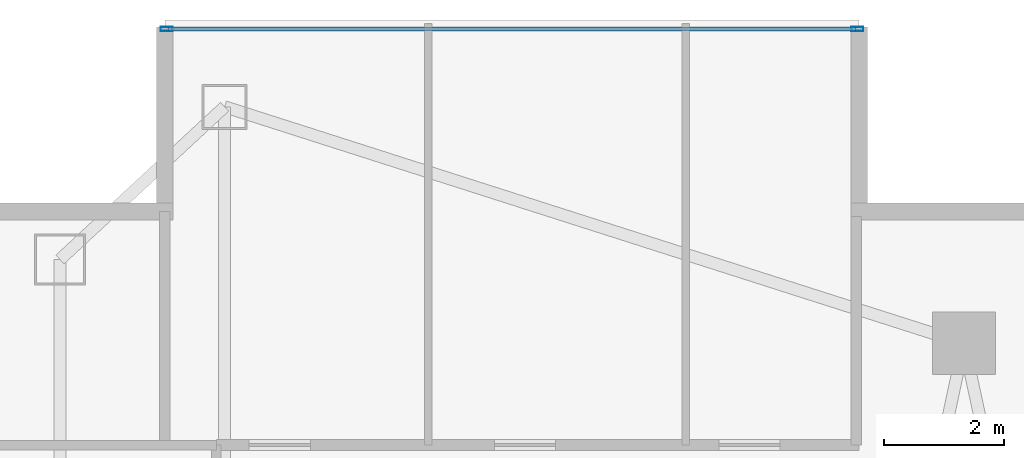
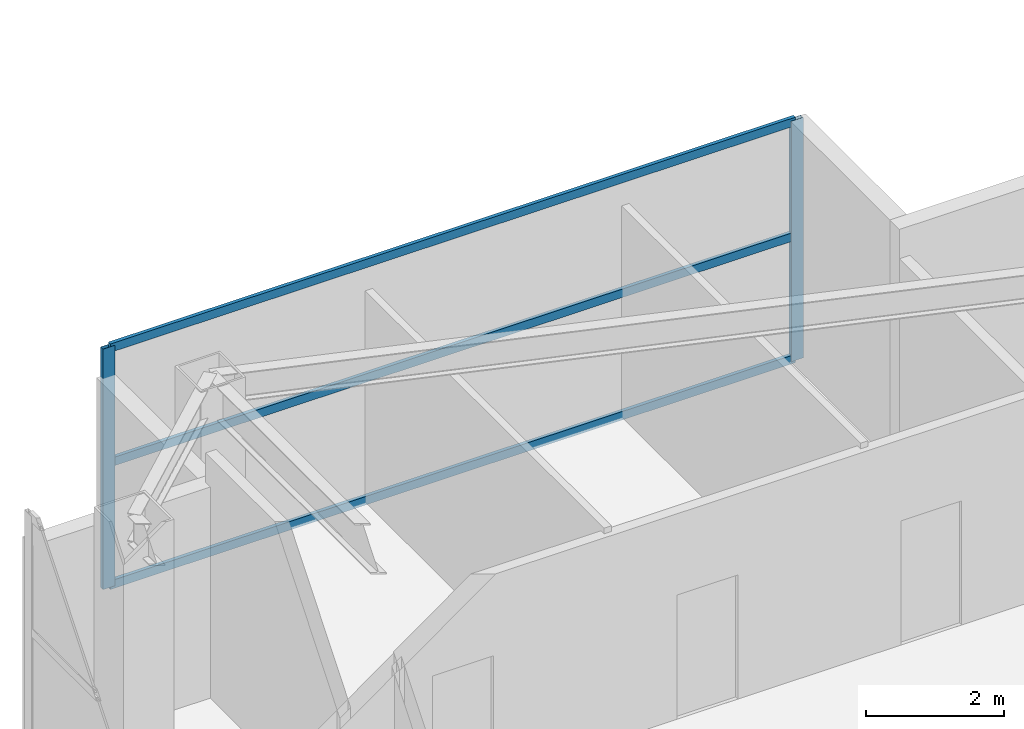
# One storey, part 18 of 26: 5 members, 1 element without a shape of its own.
"""IFC4 building model written with IfcOpenShell, lengths in metres."""

from ifc_helpers import new_model, si_unit, direction, frame, origin, origin_2d, place, context, subcontext, project, spatial, hollow_rectangle, extrude, material, layer, layer_set, material_profile, profile_set, type_object, element, aggregate, save


model = new_model("IFC4")

# Units and contexts
model_context = context("Model", 3, precision=1e-05, world=origin(), true_north=direction((0.0, 1.0)))
body_context = subcontext(model_context, "Body", "Model", "MODEL_VIEW")
ifc_project = project(units=[si_unit("LENGTHUNIT", "METRE"), si_unit("AREAUNIT", "SQUARE_METRE"), si_unit("VOLUMEUNIT", "CUBIC_METRE"), si_unit("PLANEANGLEUNIT", "RADIAN"), si_unit("MASSUNIT", "GRAM", prefix="KILO")], contexts=[model_context])

# Site, building, storey
site_placement = place(None, origin())
site = spatial("IfcSite", under=ifc_project, at=site_placement, CompositionType="ELEMENT")
building_placement = place(site_placement, origin())
building = spatial("IfcBuilding", under=site, at=building_placement, Name="Calvorn Quay Hotel", CompositionType="ELEMENT")
storey_placement = place(building_placement, frame((0.0, 0.0, 144.0)))
storey = spatial("IfcBuildingStorey", under=building, at=storey_placement, Name="L35", CompositionType="ELEMENT", Elevation=144.0)

# Curtain wall, members
ifc_material_1 = material(Name="Pale Anodised Aluminium and Low-E Glass", Category="aluminium")
ifc_layer = layer(ifc_material_1, 0.219970703125)
ifc_layer_set = layer_set([ifc_layer], Name="CW-SYS-Z2")
curtain_wall_type = type_object("IfcCurtainWallType", Name="CW-SYS-Z2", PredefinedType="NOTDEFINED", material=ifc_layer_set)
curtain_wall_placement = place(storey_placement, origin())
curtain_wall = element("IfcCurtainWall", 1, at=curtain_wall_placement, inside=storey, type_object=curtain_wall_type, Name="Inner Court Curtain Wall L35-N1", PredefinedType="NOTDEFINED")
ifc_material_2 = material(Name="Pale Anodised Aluminium 6063-T6", Category="aluminium")
ifc_material_profile_1 = material_profile(ifc_material_2, hollow_rectangle(XDim=0.070068359375, YDim=0.199951171875, WallThickness=0.00390625, at=origin_2d()), Name="ALU-M200x70x4")
ifc_profile_set_1 = profile_set([ifc_material_profile_1], Name="Pale Anodised Aluminium 6063-T6")
member_type_1 = type_object("IfcMemberType", Name="CW-SYS-Z2-MUL", PredefinedType="MULLION", material=ifc_profile_set_1)
member_1_placement = place(storey_placement, frame((14.77001953125, 50.85009765625, 0.0), z_axis=(0.0, 0.0, 1.0), x_axis=(0.0, -1.0, 0.0)))
member_1 = element("IfcMember", 2, at=member_1_placement, type_object=member_type_1, Name="CW-L35-N1 mullion 1", PredefinedType="MULLION", context=body_context, shape_type="SweptSolid", body=[
    extrude(hollow_rectangle(XDim=0.070068359375, YDim=0.199951171875, WallThickness=0.00390625, at=origin_2d()), origin(), (0.0, 0.0, 1.0), 4.260009765625),
])
member_2_placement = place(storey_placement, frame((3.22998046875, 50.85009765625, 0.0), z_axis=(0.0, 0.0, 1.0), x_axis=(0.0, -1.0, 0.0)))
member_2 = element("IfcMember", 3, at=member_2_placement, type_object=member_type_1, Name="CW-L35-N1 mullion 2", PredefinedType="MULLION", context=body_context, shape_type="SweptSolid", body=[
    extrude(hollow_rectangle(XDim=0.070068359375, YDim=0.199951171875, WallThickness=0.00390625, at=origin_2d()), origin(), (0.0, 0.0, 1.0), 4.260009765625),
])
ifc_material_3 = material(Name="Pale Anodised Aluminium 6063-T6", Category="aluminium")
ifc_material_profile_2 = material_profile(ifc_material_3, hollow_rectangle(XDim=0.06005859375, YDim=0.14990234375, WallThickness=0.00341796875, at=origin_2d()), Name="ALU-T150x60x3.5")
ifc_profile_set_2 = profile_set([ifc_material_profile_2], Name="Pale Anodised Aluminium 6063-T6")
member_type_2 = type_object("IfcMemberType", Name="CW-SYS-Z2-TRN", PredefinedType="USERDEFINED", material=ifc_profile_set_2)
member_3_placement = place(storey_placement, frame((14.739990234375, 50.85009765625, 0.030029296875), z_axis=(-1.0, 0.0, 0.0), x_axis=(0.0, -1.0, 0.0)))
member_3 = element("IfcMember", 4, at=member_3_placement, type_object=member_type_2, Name="CW-L35-N1 transom 1.1", ObjectType="TRANSOM", PredefinedType="USERDEFINED", context=body_context, shape_type="SweptSolid", body=[
    extrude(hollow_rectangle(XDim=0.06005859375, YDim=0.14990234375, WallThickness=0.00341796875, at=origin_2d()), origin(), (0.0, 0.0, 1.0), 11.47998046875),
])
member_4_placement = place(storey_placement, frame((14.739990234375, 50.85009765625, 2.199951171875), z_axis=(-1.0, 0.0, 0.0), x_axis=(0.0, -1.0, 0.0)))
member_4 = element("IfcMember", 5, at=member_4_placement, type_object=member_type_2, Name="CW-L35-N1 transom 1.2", ObjectType="TRANSOM", PredefinedType="USERDEFINED", context=body_context, shape_type="SweptSolid", body=[
    extrude(hollow_rectangle(XDim=0.06005859375, YDim=0.14990234375, WallThickness=0.00341796875, at=origin_2d()), origin(), (0.0, 0.0, 1.0), 11.47998046875),
])
member_5_placement = place(storey_placement, frame((14.739990234375, 50.85009765625, 4.22998046875), z_axis=(-1.0, 0.0, 0.0), x_axis=(0.0, -1.0, 0.0)))
member_5 = element("IfcMember", 6, at=member_5_placement, type_object=member_type_2, Name="CW-L35-N1 transom 1.3", ObjectType="TRANSOM", PredefinedType="USERDEFINED", context=body_context, shape_type="SweptSolid", body=[
    extrude(hollow_rectangle(XDim=0.06005859375, YDim=0.14990234375, WallThickness=0.00341796875, at=origin_2d()), origin(), (0.0, 0.0, 1.0), 11.47998046875),
])
aggregate(curtain_wall, [member_1, member_2, member_3, member_4, member_5])

save(model, "model.ifc")
